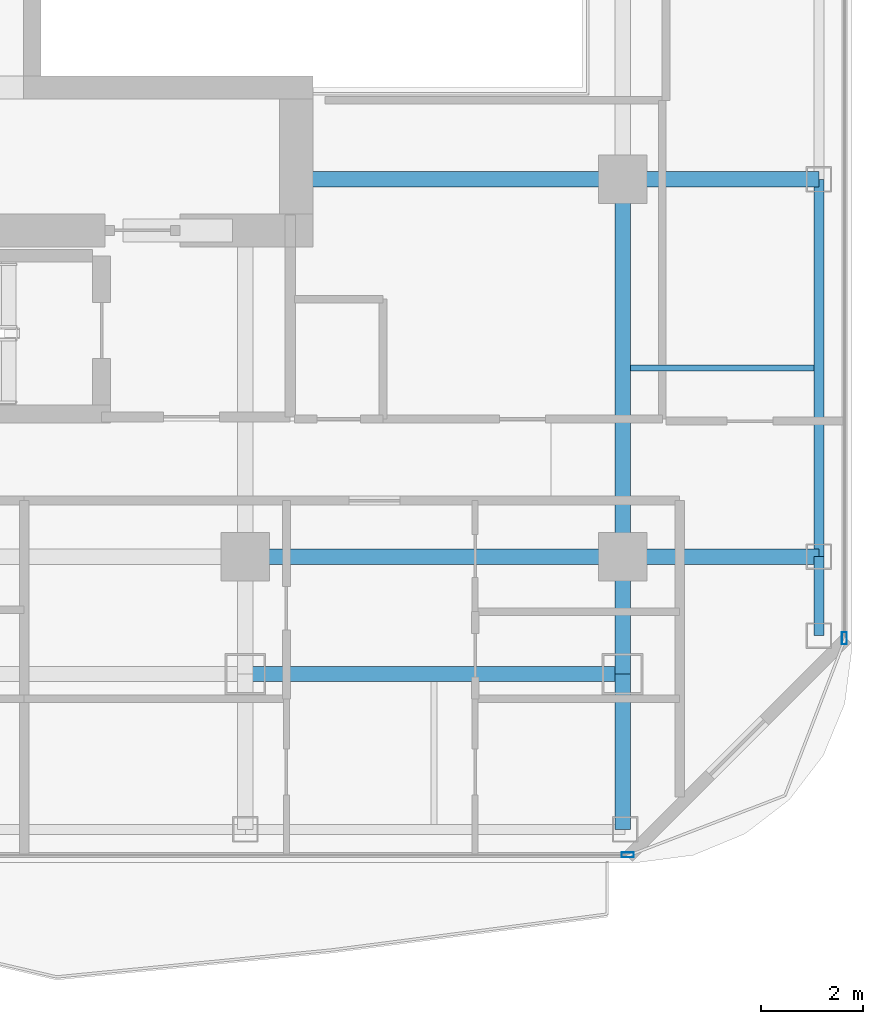
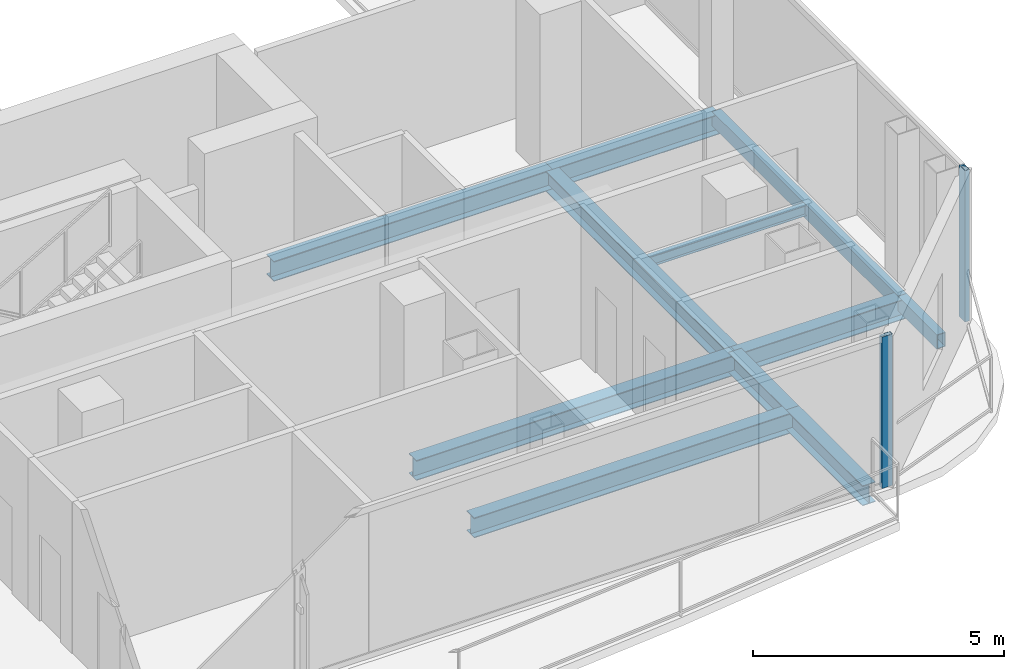
# One storey, part 8 of 26: 11 beams, 2 members, 2 elements without a shape of their own.
"""IFC4 building model written with IfcOpenShell, lengths in metres."""

from ifc_helpers import new_model, si_unit, direction, frame, origin, origin_2d, place, context, subcontext, project, spatial, hollow_rectangle, i_section, extrude, material, layer, layer_set, material_profile, profile_set, type_object, element, aggregate, save


model = new_model("IFC4")

# Units and contexts
model_context = context("Model", 3, precision=1e-05, world=origin(), true_north=direction((0.0, 1.0)))
body_context = subcontext(model_context, "Body", "Model", "MODEL_VIEW")
ifc_project = project(units=[si_unit("LENGTHUNIT", "METRE"), si_unit("AREAUNIT", "SQUARE_METRE"), si_unit("VOLUMEUNIT", "CUBIC_METRE"), si_unit("PLANEANGLEUNIT", "RADIAN"), si_unit("MASSUNIT", "GRAM", prefix="KILO")], contexts=[model_context])

# Site, building, storey
site_placement = place(None, origin())
site = spatial("IfcSite", under=ifc_project, at=site_placement, CompositionType="ELEMENT")
building_placement = place(site_placement, origin())
building = spatial("IfcBuilding", under=site, at=building_placement, Name="Khorvyn Point Tower", CompositionType="ELEMENT")
storey_placement = place(building_placement, frame((0.0, 0.0, 289.800048828125)))
storey = spatial("IfcBuildingStorey", under=building, at=storey_placement, Name="L71", CompositionType="ELEMENT", Elevation=289.800048828125)

# Curtain wall, member
ifc_material_1 = material(Name="Anodised aluminium 6063-T6 and laminated Low-E glass", Category="aluminium")
ifc_layer = layer(ifc_material_1, 0.18994140625)
ifc_layer_set = layer_set([ifc_layer], Name="Stick-Built High-Wind Curtain Wall CW-SYS-04")
curtain_wall_type = type_object("IfcCurtainWallType", Name="Stick-Built High-Wind Curtain Wall CW-SYS-04", PredefinedType="NOTDEFINED", material=ifc_layer_set)
curtain_wall_1_placement = place(storey_placement, origin())
curtain_wall_1 = element("IfcCurtainWall", 1, at=curtain_wall_1_placement, inside=storey, type_object=curtain_wall_type, Name="Curtain Wall", PredefinedType="NOTDEFINED")
ifc_material_2 = material(Name="Anodised aluminium 6063-T6", Category="aluminium")
ifc_material_profile_1 = material_profile(ifc_material_2, hollow_rectangle(XDim=0.10009765625, YDim=0.239990234375, WallThickness=0.0048828125, at=origin_2d()))
ifc_profile_set_1 = profile_set([ifc_material_profile_1], Name="Anodised aluminium 6063-T6 ALU-MUL-100x240")
member_type = type_object("IfcMemberType", Name="Anodised Aluminium 6063-T6 Mullion ALU-MUL-100x240", PredefinedType="MULLION", material=ifc_profile_set_1)
member_1_placement = place(storey_placement, frame((14.89990234375, -20.64990234375, 0.0), z_axis=(0.0, 0.0, 1.0), x_axis=(0.0, -1.0, 0.0)))
member_1 = element("IfcMember", 2, at=member_1_placement, type_object=member_type, Name="Transom", PredefinedType="MULLION", context=body_context, shape_type="SweptSolid", body=[
    extrude(hollow_rectangle(XDim=0.10009765625, YDim=0.239990234375, WallThickness=0.0048828125, at=origin_2d()), origin(), (0.0, 0.0, 1.0), 3.679931640625),
])
aggregate(curtain_wall_1, [member_1])

curtain_wall_2_placement = place(storey_placement, origin())
curtain_wall_2 = element("IfcCurtainWall", 3, at=curtain_wall_2_placement, inside=storey, type_object=curtain_wall_type, Name="Curtain Wall", PredefinedType="NOTDEFINED")
member_2_placement = place(storey_placement, frame((19.14990234375, -16.39990234375, 0.0), z_axis=(0.0, 0.0, 1.0), x_axis=(1.0, 0.0, 0.0)))
member_2 = element("IfcMember", 4, at=member_2_placement, type_object=member_type, Name="Transom", PredefinedType="MULLION", context=body_context, shape_type="SweptSolid", body=[
    extrude(hollow_rectangle(XDim=0.10009765625, YDim=0.239990234375, WallThickness=0.0048828125, at=origin_2d()), origin(), (0.0, 0.0, 1.0), 3.679931640625),
])
aggregate(curtain_wall_2, [member_2])

# Beams
ifc_material_3 = material(Name="Steel S355", Category="steel")
ifc_material_profile_2 = material_profile(ifc_material_3, i_section(OverallWidth=0.125, OverallDepth=0.25, WebThickness=0.006103515625, FlangeThickness=0.009033203125, at=origin_2d()))
ifc_profile_set_2 = profile_set([ifc_material_profile_2], Name="Steel S355 H250x125x6x9")
beam_type_1 = type_object("IfcBeamType", Name="Steel S355 Joist H250x125x6x9", PredefinedType="JOIST", material=ifc_profile_set_2)
beam_1_placement = place(storey_placement, frame((14.949951171875, -11.10009765625, -0.344970703125), z_axis=(1.0, 0.0, 0.0), x_axis=(0.0, 1.0, 0.0)))
element("IfcBeam", 5, at=beam_1_placement, inside=storey, type_object=beam_type_1, Name="Beam", PredefinedType="JOIST", context=body_context, shape_type="SweptSolid", body=[
    extrude(i_section(OverallWidth=0.125, OverallDepth=0.25, WebThickness=0.006103515625, FlangeThickness=0.009033203125, at=origin_2d()), origin(), (0.0, 0.0, 1.0), 3.60009765625),
])
ifc_material_profile_3 = material_profile(ifc_material_3, i_section(OverallWidth=0.300048828125, OverallDepth=0.488037109375, WebThickness=0.010986328125, FlangeThickness=0.01806640625, at=origin_2d()))
ifc_profile_set_3 = profile_set([ifc_material_profile_3], Name="Steel S355 H488x300x11x18")
beam_type_2 = type_object("IfcBeamType", Name="Steel S355 Spandrel H488x300x11x18", PredefinedType="SPANDREL", material=ifc_profile_set_3)
beam_2_placement = place(storey_placement, frame((7.39990234375, -14.800048828125, -0.464111328125), z_axis=(1.0, 0.0, 0.0), x_axis=(0.0, 1.0, 0.0)))
element("IfcBeam", 6, at=beam_2_placement, inside=storey, type_object=beam_type_2, Name="Beam", PredefinedType="SPANDREL", context=body_context, shape_type="SweptSolid", body=[
    extrude(i_section(OverallWidth=0.300048828125, OverallDepth=0.488037109375, WebThickness=0.010986328125, FlangeThickness=0.01806640625, at=origin_2d()), origin(), (0.0, 0.0, 1.0), 7.400146484375),
])
beam_3_placement = place(storey_placement, frame((14.800048828125, -14.800048828125, -0.464111328125), z_axis=(1.0, 0.0, 0.0), x_axis=(0.0, 1.0, 0.0)))
element("IfcBeam", 7, at=beam_3_placement, inside=storey, type_object=beam_type_2, Name="Beam", PredefinedType="SPANDREL", context=body_context, shape_type="SweptSolid", body=[
    extrude(i_section(OverallWidth=0.300048828125, OverallDepth=0.488037109375, WebThickness=0.010986328125, FlangeThickness=0.01806640625, at=origin_2d()), origin(), (0.0, 0.0, 1.0), 3.849853515625),
])
beam_4_placement = place(storey_placement, frame((8.39990234375, -7.39990234375, -0.464111328125), z_axis=(1.0, 0.0, 0.0), x_axis=(0.0, 1.0, 0.0)))
element("IfcBeam", 8, at=beam_4_placement, inside=storey, type_object=beam_type_2, Name="Beam", PredefinedType="SPANDREL", context=body_context, shape_type="SweptSolid", body=[
    extrude(i_section(OverallWidth=0.300048828125, OverallDepth=0.488037109375, WebThickness=0.010986328125, FlangeThickness=0.01806640625, at=origin_2d()), origin(), (0.0, 0.0, 1.0), 6.400146484375),
])
beam_5_placement = place(storey_placement, frame((14.800048828125, -7.39990234375, -0.464111328125), z_axis=(1.0, 0.0, 0.0), x_axis=(0.0, 1.0, 0.0)))
element("IfcBeam", 9, at=beam_5_placement, inside=storey, type_object=beam_type_2, Name="Beam", PredefinedType="SPANDREL", context=body_context, shape_type="SweptSolid", body=[
    extrude(i_section(OverallWidth=0.300048828125, OverallDepth=0.488037109375, WebThickness=0.010986328125, FlangeThickness=0.01806640625, at=origin_2d()), origin(), (0.0, 0.0, 1.0), 3.849853515625),
])
beam_6_placement = place(storey_placement, frame((7.39990234375, -17.10009765625, -0.464111328125), z_axis=(1.0, 0.0, 0.0), x_axis=(0.0, 1.0, 0.0)))
element("IfcBeam", 10, at=beam_6_placement, inside=storey, type_object=beam_type_2, Name="Beam", PredefinedType="SPANDREL", context=body_context, shape_type="SweptSolid", body=[
    extrude(i_section(OverallWidth=0.300048828125, OverallDepth=0.488037109375, WebThickness=0.010986328125, FlangeThickness=0.01806640625, at=origin_2d()), origin(), (0.0, 0.0, 1.0), 7.400146484375),
])
beam_7_placement = place(storey_placement, frame((14.800048828125, -20.14990234375, -0.464111328125), z_axis=(0.0, 1.0, 0.0), x_axis=(-1.0, 0.0, 0.0)))
element("IfcBeam", 11, at=beam_7_placement, inside=storey, type_object=beam_type_2, Name="Beam", PredefinedType="SPANDREL", context=body_context, shape_type="SweptSolid", body=[
    extrude(i_section(OverallWidth=0.300048828125, OverallDepth=0.488037109375, WebThickness=0.010986328125, FlangeThickness=0.01806640625, at=origin_2d()), origin(), (0.0, 0.0, 1.0), 3.0498046875),
])
beam_8_placement = place(storey_placement, frame((14.800048828125, -17.10009765625, -0.464111328125), z_axis=(0.0, 1.0, 0.0), x_axis=(-1.0, 0.0, 0.0)))
element("IfcBeam", 12, at=beam_8_placement, inside=storey, type_object=beam_type_2, Name="Beam", PredefinedType="SPANDREL", context=body_context, shape_type="SweptSolid", body=[
    extrude(i_section(OverallWidth=0.300048828125, OverallDepth=0.488037109375, WebThickness=0.010986328125, FlangeThickness=0.01806640625, at=origin_2d()), origin(), (0.0, 0.0, 1.0), 2.300048828125),
])
beam_9_placement = place(storey_placement, frame((14.800048828125, -14.800048828125, -0.464111328125), z_axis=(0.0, 1.0, 0.0), x_axis=(-1.0, 0.0, 0.0)))
element("IfcBeam", 13, at=beam_9_placement, inside=storey, type_object=beam_type_2, Name="Beam", PredefinedType="SPANDREL", context=body_context, shape_type="SweptSolid", body=[
    extrude(i_section(OverallWidth=0.300048828125, OverallDepth=0.488037109375, WebThickness=0.010986328125, FlangeThickness=0.01806640625, at=origin_2d()), origin(), (0.0, 0.0, 1.0), 7.400146484375),
])
ifc_material_profile_4 = material_profile(ifc_material_3, hollow_rectangle(XDim=0.199951171875, YDim=0.35009765625, WallThickness=0.013916015625, at=origin_2d()))
ifc_profile_set_4 = profile_set([ifc_material_profile_4], Name="Steel S355 RHS350x200x14")
beam_type_3 = type_object("IfcBeamType", Name="Steel S355 Spandrel RHS350x200x14", PredefinedType="SPANDREL", material=ifc_profile_set_4)
beam_10_placement = place(storey_placement, frame((18.64990234375, -16.35009765625, -0.39501953125), z_axis=(0.0, 1.0, 0.0), x_axis=(-1.0, 0.0, 0.0)))
element("IfcBeam", 14, at=beam_10_placement, inside=storey, type_object=beam_type_3, Name="Beam", PredefinedType="SPANDREL", context=body_context, shape_type="SweptSolid", body=[
    extrude(hollow_rectangle(XDim=0.199951171875, YDim=0.35009765625, WallThickness=0.013916015625, at=origin_2d()), origin(), (0.0, 0.0, 1.0), 1.550048828125),
])
beam_11_placement = place(storey_placement, frame((18.64990234375, -14.800048828125, -0.39501953125), z_axis=(0.0, 1.0, 0.0), x_axis=(-1.0, 0.0, 0.0)))
element("IfcBeam", 15, at=beam_11_placement, inside=storey, type_object=beam_type_3, Name="Beam", PredefinedType="SPANDREL", context=body_context, shape_type="SweptSolid", body=[
    extrude(hollow_rectangle(XDim=0.199951171875, YDim=0.35009765625, WallThickness=0.013916015625, at=origin_2d()), origin(), (0.0, 0.0, 1.0), 7.400146484375),
])

save(model, "model.ifc")
